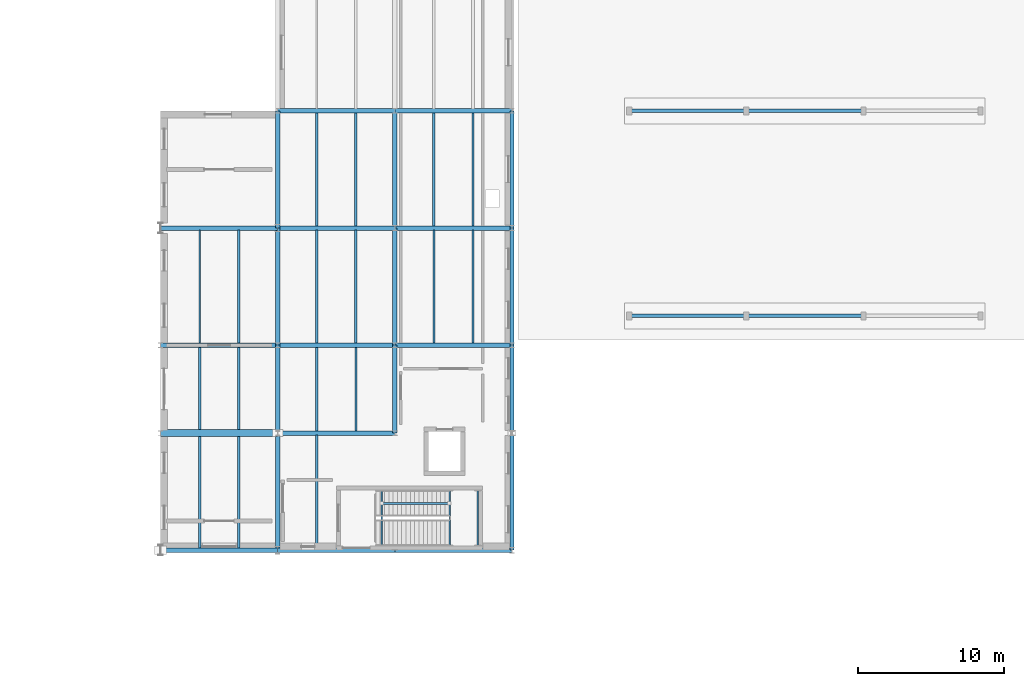
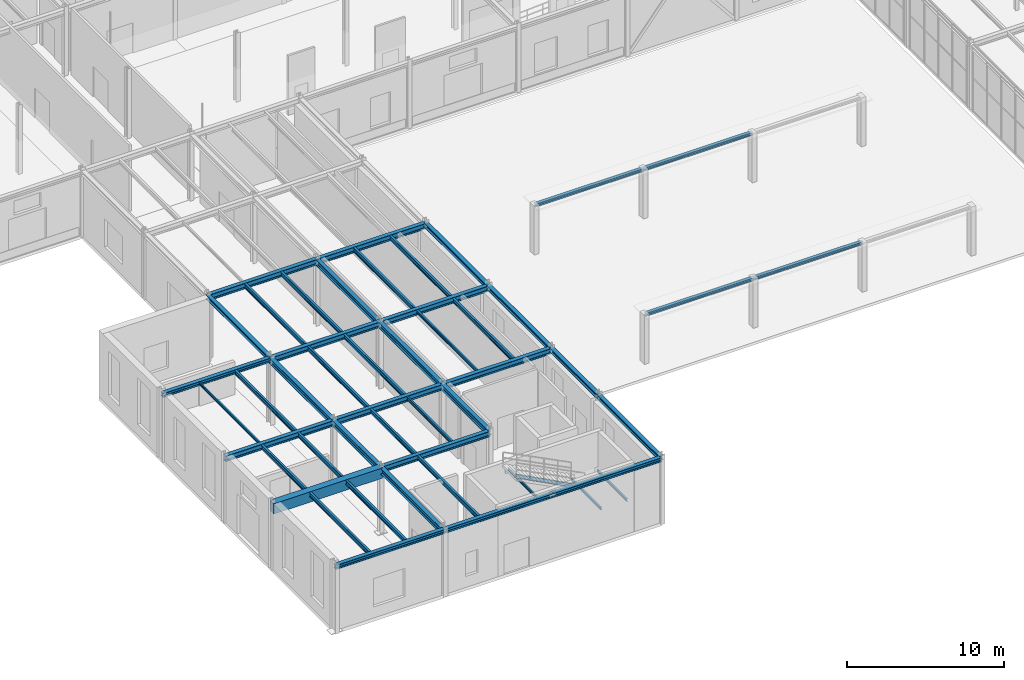
# One storey, part 24 of 129: 48 beams, 1 member.
"""IFC4 building model written with IfcOpenShell, lengths in metres."""

from ifc_helpers import new_model, si_unit, direction, frame, origin, origin_2d, place, context, subcontext, project, spatial, rectangle, i_section, extrude, material, material_profile, profile_set, type_object, element, save


model = new_model("IFC4")

# Units and contexts
model_context = context("Model", 3, precision=1e-05, world=origin(), true_north=direction((0.0, 1.0)))
body_context = subcontext(model_context, "Body", "Model", "MODEL_VIEW")
ifc_project = project(units=[si_unit("LENGTHUNIT", "METRE"), si_unit("AREAUNIT", "SQUARE_METRE"), si_unit("VOLUMEUNIT", "CUBIC_METRE"), si_unit("PLANEANGLEUNIT", "RADIAN"), si_unit("MASSUNIT", "GRAM", prefix="KILO")], contexts=[model_context])

# Site, building, storey
site_placement = place(None, origin())
site = spatial("IfcSite", under=ifc_project, at=site_placement, CompositionType="ELEMENT")
building_placement = place(site_placement, origin())
building = spatial("IfcBuilding", under=site, at=building_placement, Name="Sundkrona Museum", CompositionType="ELEMENT")
storey_placement = place(building_placement, origin())
storey = spatial("IfcBuildingStorey", under=building, at=storey_placement, Name="L00", CompositionType="ELEMENT", Elevation=0.0)

# Beams
ifc_material_1 = material(Name="Steel S355J2", Category="steel")
ifc_material_profile_1 = material_profile(ifc_material_1, i_section(OverallWidth=0.239990234375, OverallDepth=0.22998046875, WebThickness=0.007568359375, FlangeThickness=0.011962890625, FilletRadius=0.02099609375, at=origin_2d()), Name="HEA 240")
ifc_profile_set_1 = profile_set([ifc_material_profile_1], Name="Steel S355J2")
beam_type_1 = type_object("IfcBeamType", Name="B-HEA240", PredefinedType="BEAM", material=ifc_profile_set_1)
for number, where, z_axis, x_axis, name in (
    (1, (48.0, 48.0, 3.679931640625), (1.0, 0.0, 0.0), (0.0, 1.0, 0.0), "Courtyard Pergola Tie Beam CLN-1"),
    (2, (56.0, 48.0, 3.679931640625), (1.0, 0.0, 0.0), (0.0, 1.0, 0.0), "Courtyard Pergola Tie Beam CLN-2"),
    (3, (48.0, 62.0, 3.679931640625), (1.0, 0.0, 0.0), (0.0, 1.0, 0.0), "Courtyard Pergola Tie Beam CLS-1"),
    (4, (56.0, 62.0, 3.679931640625), (1.0, 0.0, 0.0), (0.0, 1.0, 0.0), "Courtyard Pergola Tie Beam CLS-2"),
):
    element("IfcBeam", number, at=place(storey_placement, frame(where, z_axis=z_axis, x_axis=x_axis)), inside=storey, type_object=beam_type_1, Name=name, PredefinedType="BEAM", context=body_context, shape_type="SweptSolid", body=[
        extrude(i_section(OverallWidth=0.239990234375, OverallDepth=0.22998046875, WebThickness=0.007568359375, FlangeThickness=0.011962890625, FilletRadius=0.02099609375, at=origin_2d()), origin(), (0.0, 0.0, 1.0), 8.0),
    ])
ifc_material_profile_2 = material_profile(ifc_material_1, i_section(OverallWidth=0.300048828125, OverallDepth=0.43994140625, WebThickness=0.011474609375, FlangeThickness=0.02099609375, FilletRadius=0.027099609375, at=origin_2d()), Name="HEA 450")
ifc_profile_set_2 = profile_set([ifc_material_profile_2], Name="Steel S355J2")
beam_type_2 = type_object("IfcBeamType", Name="B-HEA450", PredefinedType="BEAM", material=ifc_profile_set_2)
for number, where, z_axis, x_axis, name in (
    (5, (24.0, 40.0, 4.93994140625), (1.0, 0.0, 0.0), (0.0, 1.0, 0.0), "L00 Girder X-0469"),
    (6, (16.0, 46.0, 4.93994140625), (1.0, 0.0, 0.0), (0.0, 1.0, 0.0), "L00 Girder X-0479"),
    (7, (24.0, 46.0, 4.93994140625), (1.0, 0.0, 0.0), (0.0, 1.0, 0.0), "L00 Girder X-0480"),
    (8, (32.0, 46.0, 4.93994140625), (1.0, 0.0, 0.0), (0.0, 1.0, 0.0), "L00 Girder X-0481"),
    (9, (24.0, 54.0, 4.93994140625), (1.0, 0.0, 0.0), (0.0, 1.0, 0.0), "L00 Girder X-0491"),
    (10, (32.0, 54.0, 4.93994140625), (1.0, 0.0, 0.0), (0.0, 1.0, 0.0), "L00 Girder X-0492"),
    (11, (24.0, 62.0, 4.93994140625), (1.0, 0.0, 0.0), (0.0, 1.0, 0.0), "L00 Girder X-0499"),
    (12, (32.0, 62.0, 4.93994140625), (1.0, 0.0, 0.0), (0.0, 1.0, 0.0), "L00 Girder X-0500"),
    (13, (24.0, 32.0, 4.93994140625), (0.0, 1.0, 0.0), (-1.0, 0.0, 0.0), "L00 Girder Y-0630"),
):
    element("IfcBeam", number, at=place(storey_placement, frame(where, z_axis=z_axis, x_axis=x_axis)), inside=storey, type_object=beam_type_2, Name=name, PredefinedType="BEAM", context=body_context, shape_type="SweptSolid", body=[
        extrude(i_section(OverallWidth=0.300048828125, OverallDepth=0.43994140625, WebThickness=0.011474609375, FlangeThickness=0.02099609375, FilletRadius=0.027099609375, at=origin_2d()), origin(), (0.0, 0.0, 1.0), 8.0),
    ])
beam_1_placement = place(storey_placement, frame((24.0, 40.0, 4.93994140625), z_axis=(0.0, 1.0, 0.0), x_axis=(-1.0, 0.0, 0.0)))
element("IfcBeam", 14, at=beam_1_placement, inside=storey, type_object=beam_type_2, Name="L00 Girder Y-0631", PredefinedType="BEAM", context=body_context, shape_type="SweptSolid", body=[
    extrude(i_section(OverallWidth=0.300048828125, OverallDepth=0.43994140625, WebThickness=0.011474609375, FlangeThickness=0.02099609375, FilletRadius=0.027099609375, at=origin_2d()), origin(), (0.0, 0.0, 1.0), 6.0),
])
beam_2_placement = place(storey_placement, frame((24.0, 46.0, 4.93994140625), z_axis=(0.0, 1.0, 0.0), x_axis=(-1.0, 0.0, 0.0)))
element("IfcBeam", 15, at=beam_2_placement, inside=storey, type_object=beam_type_2, Name="L00 Girder Y-0632", PredefinedType="BEAM", context=body_context, shape_type="SweptSolid", body=[
    extrude(i_section(OverallWidth=0.300048828125, OverallDepth=0.43994140625, WebThickness=0.011474609375, FlangeThickness=0.02099609375, FilletRadius=0.027099609375, at=origin_2d()), origin(), (0.0, 0.0, 1.0), 8.0),
])
beam_3_placement = place(storey_placement, frame((32.0, 40.0, 4.93994140625), z_axis=(0.0, 1.0, 0.0), x_axis=(-1.0, 0.0, 0.0)))
element("IfcBeam", 16, at=beam_3_placement, inside=storey, type_object=beam_type_2, Name="L00 Girder Y-0639", PredefinedType="BEAM", context=body_context, shape_type="SweptSolid", body=[
    extrude(i_section(OverallWidth=0.300048828125, OverallDepth=0.43994140625, WebThickness=0.011474609375, FlangeThickness=0.02099609375, FilletRadius=0.027099609375, at=origin_2d()), origin(), (0.0, 0.0, 1.0), 6.0),
])
for number, where, z_axis, x_axis, name in (
    (17, (32.0, 46.0, 4.93994140625), (0.0, 1.0, 0.0), (-1.0, 0.0, 0.0), "L00 Girder Y-0640"),
    (18, (32.0, 54.0, 4.93994140625), (0.0, 1.0, 0.0), (-1.0, 0.0, 0.0), "L00 Girder Y-0641"),
):
    element("IfcBeam", number, at=place(storey_placement, frame(where, z_axis=z_axis, x_axis=x_axis)), inside=storey, type_object=beam_type_2, Name=name, PredefinedType="BEAM", context=body_context, shape_type="SweptSolid", body=[
        extrude(i_section(OverallWidth=0.300048828125, OverallDepth=0.43994140625, WebThickness=0.011474609375, FlangeThickness=0.02099609375, FilletRadius=0.027099609375, at=origin_2d()), origin(), (0.0, 0.0, 1.0), 8.0),
    ])
ifc_material_2 = material(Name="Concrete C40/50", Category="concrete")
ifc_material_profile_3 = material_profile(ifc_material_2, rectangle(XDim=0.5, YDim=0.800048828125, at=origin_2d()), Name="RCB 500x800")
ifc_profile_set_3 = profile_set([ifc_material_profile_3], Name="Concrete C40/50")
beam_type_3 = type_object("IfcBeamType", Name="B-RC500", PredefinedType="BEAM", material=ifc_profile_set_3)
beam_4_placement = place(storey_placement, frame((16.0, 40.0, 4.760009765625), z_axis=(1.0, 0.0, 0.0), x_axis=(0.0, 1.0, 0.0)))
element("IfcBeam", 19, at=beam_4_placement, inside=storey, type_object=beam_type_3, Name="L00 Girder X-0468", PredefinedType="BEAM", context=body_context, shape_type="SweptSolid", body=[
    extrude(rectangle(XDim=0.5, YDim=0.800048828125, at=origin_2d()), origin(), (0.0, 0.0, 1.0), 8.0),
])

# Member
ifc_material_profile_4 = material_profile(ifc_material_1, i_section(OverallWidth=0.135009765625, OverallDepth=0.27001953125, WebThickness=0.006591796875, FlangeThickness=0.01025390625, FilletRadius=0.014892578125, at=origin_2d()), Name="IPE 270")
ifc_profile_set_4 = profile_set([ifc_material_profile_4], Name="Steel S355J2")
member_type = type_object("IfcMemberType", Name="BR-IPE270", PredefinedType="BRACE", material=ifc_profile_set_4)
member_placement = place(storey_placement, frame((35.715087890625, 35.199951171875, 2.3798828125), z_axis=(-0.884492571905, 0.0, 0.466554273632), x_axis=(0.0, -1.0, 0.0)))
element("IfcMember", 20, at=member_placement, inside=storey, type_object=member_type, Name="SRK-1 L00 ST-4 Flight 2 Inclined Carriage Raker", PredefinedType="BRACE", context=body_context, shape_type="SweptSolid", body=[
    extrude(i_section(OverallWidth=0.135009765625, OverallDepth=0.27001953125, WebThickness=0.006591796875, FlangeThickness=0.01025390625, FilletRadius=0.014892578125, at=origin_2d()), origin(), (0.0, 0.0, 1.0), 5.2177734375),
])

# Beams
ifc_material_profile_5 = material_profile(ifc_material_1, i_section(OverallWidth=0.10009765625, OverallDepth=0.199951171875, WebThickness=0.005615234375, FlangeThickness=0.008544921875, FilletRadius=0.011962890625, at=origin_2d()), Name="IPE 200")
ifc_profile_set_5 = profile_set([ifc_material_profile_5], Name="Steel S355J2")
beam_type_4 = type_object("IfcBeamType", Name="J-IPE200", PredefinedType="JOIST", material=ifc_profile_set_5)
beam_5_placement = place(storey_placement, frame((18.666748046875, 46.14404296875, 5.06005859375), z_axis=(0.0, 1.0, 0.0), x_axis=(-1.0, 0.0, 0.0)))
element("IfcBeam", 21, at=beam_5_placement, inside=storey, type_object=beam_type_4, Name="L00 Composite Joist 0320", PredefinedType="JOIST", context=body_context, shape_type="SweptSolid", body=[
    extrude(i_section(OverallWidth=0.10009765625, OverallDepth=0.199951171875, WebThickness=0.005615234375, FlangeThickness=0.008544921875, FilletRadius=0.011962890625, at=origin_2d()), origin(), (0.0, 0.0, 1.0), 7.7119140625),
])
for number, where, z_axis, x_axis, name in (
    (22, (35.754638671875, 32.31005859375, 2.3798828125), (0.0, 1.0, 0.0), (-1.0, 0.0, 0.0), "L00 ST-4 Mid-Landing Trimmer Beam 1A"),
    (23, (37.660400390625, 32.31005859375, 2.3798828125), (0.0, 1.0, 0.0), (-1.0, 0.0, 0.0), "L00 ST-4 Mid-Landing Trimmer Beam 1B"),
    (24, (31.10009765625, 32.31005859375, 4.814208984375), (0.0, 1.0, 0.0), (-1.0, 0.0, 0.0), "L00 ST-4 Flight 2 Arrival Header Beam"),
):
    element("IfcBeam", number, at=place(storey_placement, frame(where, z_axis=z_axis, x_axis=x_axis)), inside=storey, type_object=beam_type_4, Name=name, PredefinedType="JOIST", context=body_context, shape_type="SweptSolid", body=[
        extrude(i_section(OverallWidth=0.10009765625, OverallDepth=0.199951171875, WebThickness=0.005615234375, FlangeThickness=0.008544921875, FilletRadius=0.011962890625, at=origin_2d()), origin(), (0.0, 0.0, 1.0), 3.780029296875),
    ])
ifc_material_profile_6 = material_profile(ifc_material_1, i_section(OverallWidth=0.1201171875, OverallDepth=0.239990234375, WebThickness=0.006103515625, FlangeThickness=0.009765625, FilletRadius=0.014892578125, at=origin_2d()), Name="IPE 240")
ifc_profile_set_6 = profile_set([ifc_material_profile_6], Name="Steel S355J2")
beam_type_5 = type_object("IfcBeamType", Name="J-IPE240", PredefinedType="JOIST", material=ifc_profile_set_6)
beam_6_placement = place(storey_placement, frame((34.666748046875, 46.14404296875, 5.0400390625), z_axis=(0.0, 1.0, 0.0), x_axis=(-1.0, 0.0, 0.0)))
element("IfcBeam", 25, at=beam_6_placement, inside=storey, type_object=beam_type_5, Name="L00 Composite Joist 0345", PredefinedType="JOIST", context=body_context, shape_type="SweptSolid", body=[
    extrude(i_section(OverallWidth=0.1201171875, OverallDepth=0.239990234375, WebThickness=0.006103515625, FlangeThickness=0.009765625, FilletRadius=0.014892578125, at=origin_2d()), origin(), (0.0, 0.0, 1.0), 7.7119140625),
])
ifc_material_profile_7 = material_profile(ifc_material_1, i_section(OverallWidth=0.135009765625, OverallDepth=0.27001953125, WebThickness=0.006591796875, FlangeThickness=0.01025390625, FilletRadius=0.014892578125, at=origin_2d()), Name="IPE 270")
ifc_profile_set_7 = profile_set([ifc_material_profile_7], Name="Steel S355J2")
beam_type_6 = type_object("IfcBeamType", Name="J-IPE270", PredefinedType="JOIST", material=ifc_profile_set_7)
beam_7_placement = place(storey_placement, frame((29.333251953125, 40.14404296875, 5.02490234375), z_axis=(0.0, 1.0, 0.0), x_axis=(-1.0, 0.0, 0.0)))
element("IfcBeam", 26, at=beam_7_placement, inside=storey, type_object=beam_type_6, Name="L00 Composite Joist 0330", PredefinedType="JOIST", context=body_context, shape_type="SweptSolid", body=[
    extrude(i_section(OverallWidth=0.135009765625, OverallDepth=0.27001953125, WebThickness=0.006591796875, FlangeThickness=0.01025390625, FilletRadius=0.014892578125, at=origin_2d()), origin(), (0.0, 0.0, 1.0), 5.7119140625),
])
ifc_material_profile_8 = material_profile(ifc_material_1, i_section(OverallWidth=0.159912109375, OverallDepth=0.330078125, WebThickness=0.007568359375, FlangeThickness=0.011474609375, FilletRadius=0.01806640625, at=origin_2d()), Name="IPE 330")
ifc_profile_set_8 = profile_set([ifc_material_profile_8], Name="Steel S355J2")
beam_type_7 = type_object("IfcBeamType", Name="J-IPE330", PredefinedType="JOIST", material=ifc_profile_set_8)
for number, where, z_axis, x_axis, name in (
    (27, (18.666748046875, 32.14404296875, 4.9951171875), (0.0, 1.0, 0.0), (-1.0, 0.0, 0.0), "L00 Composite Joist 0316"),
    (28, (21.333251953125, 32.14404296875, 4.9951171875), (0.0, 1.0, 0.0), (-1.0, 0.0, 0.0), "L00 Composite Joist 0317"),
):
    element("IfcBeam", number, at=place(storey_placement, frame(where, z_axis=z_axis, x_axis=x_axis)), inside=storey, type_object=beam_type_7, Name=name, PredefinedType="JOIST", context=body_context, shape_type="SweptSolid", body=[
        extrude(i_section(OverallWidth=0.159912109375, OverallDepth=0.330078125, WebThickness=0.007568359375, FlangeThickness=0.011474609375, FilletRadius=0.01806640625, at=origin_2d()), origin(), (0.0, 0.0, 1.0), 7.612060546875),
    ])
for number, where, z_axis, x_axis, name in (
    (29, (18.666748046875, 40.243896484375, 4.9951171875), (0.0, 1.0, 0.0), (-1.0, 0.0, 0.0), "L00 Composite Joist 0318"),
    (30, (21.333251953125, 40.243896484375, 4.9951171875), (0.0, 1.0, 0.0), (-1.0, 0.0, 0.0), "L00 Composite Joist 0319"),
):
    element("IfcBeam", number, at=place(storey_placement, frame(where, z_axis=z_axis, x_axis=x_axis)), inside=storey, type_object=beam_type_7, Name=name, PredefinedType="JOIST", context=body_context, shape_type="SweptSolid", body=[
        extrude(i_section(OverallWidth=0.159912109375, OverallDepth=0.330078125, WebThickness=0.007568359375, FlangeThickness=0.011474609375, FilletRadius=0.01806640625, at=origin_2d()), origin(), (0.0, 0.0, 1.0), 5.612060546875),
    ])
for number, where, z_axis, x_axis, name in (
    (31, (21.333251953125, 46.14404296875, 4.9951171875), (0.0, 1.0, 0.0), (-1.0, 0.0, 0.0), "L00 Composite Joist 0321"),
    (32, (26.666748046875, 32.14404296875, 4.9951171875), (0.0, 1.0, 0.0), (-1.0, 0.0, 0.0), "L00 Composite Joist 0328"),
):
    element("IfcBeam", number, at=place(storey_placement, frame(where, z_axis=z_axis, x_axis=x_axis)), inside=storey, type_object=beam_type_7, Name=name, PredefinedType="JOIST", context=body_context, shape_type="SweptSolid", body=[
        extrude(i_section(OverallWidth=0.159912109375, OverallDepth=0.330078125, WebThickness=0.007568359375, FlangeThickness=0.011474609375, FilletRadius=0.01806640625, at=origin_2d()), origin(), (0.0, 0.0, 1.0), 7.7119140625),
    ])
beam_8_placement = place(storey_placement, frame((26.666748046875, 40.14404296875, 4.9951171875), z_axis=(0.0, 1.0, 0.0), x_axis=(-1.0, 0.0, 0.0)))
element("IfcBeam", 33, at=beam_8_placement, inside=storey, type_object=beam_type_7, Name="L00 Composite Joist 0329", PredefinedType="JOIST", context=body_context, shape_type="SweptSolid", body=[
    extrude(i_section(OverallWidth=0.159912109375, OverallDepth=0.330078125, WebThickness=0.007568359375, FlangeThickness=0.011474609375, FilletRadius=0.01806640625, at=origin_2d()), origin(), (0.0, 0.0, 1.0), 5.7119140625),
])
for number, where, z_axis, x_axis, name in (
    (34, (26.666748046875, 46.14404296875, 4.9951171875), (0.0, 1.0, 0.0), (-1.0, 0.0, 0.0), "L00 Composite Joist 0331"),
    (35, (29.333251953125, 46.14404296875, 4.9951171875), (0.0, 1.0, 0.0), (-1.0, 0.0, 0.0), "L00 Composite Joist 0332"),
    (36, (26.666748046875, 54.14404296875, 4.9951171875), (0.0, 1.0, 0.0), (-1.0, 0.0, 0.0), "L00 Composite Joist 0333"),
    (37, (29.333251953125, 54.14404296875, 4.9951171875), (0.0, 1.0, 0.0), (-1.0, 0.0, 0.0), "L00 Composite Joist 0334"),
    (38, (37.333251953125, 46.14404296875, 4.9951171875), (0.0, 1.0, 0.0), (-1.0, 0.0, 0.0), "L00 Composite Joist 0346"),
    (39, (34.666748046875, 54.14404296875, 4.9951171875), (0.0, 1.0, 0.0), (-1.0, 0.0, 0.0), "L00 Composite Joist 0347"),
    (40, (37.333251953125, 54.14404296875, 4.9951171875), (0.0, 1.0, 0.0), (-1.0, 0.0, 0.0), "L00 Composite Joist 0348"),
):
    element("IfcBeam", number, at=place(storey_placement, frame(where, z_axis=z_axis, x_axis=x_axis)), inside=storey, type_object=beam_type_7, Name=name, PredefinedType="JOIST", context=body_context, shape_type="SweptSolid", body=[
        extrude(i_section(OverallWidth=0.159912109375, OverallDepth=0.330078125, WebThickness=0.007568359375, FlangeThickness=0.011474609375, FilletRadius=0.01806640625, at=origin_2d()), origin(), (0.0, 0.0, 1.0), 7.7119140625),
    ])
ifc_material_profile_9 = material_profile(ifc_material_1, i_section(OverallWidth=0.300048828125, OverallDepth=0.320068359375, WebThickness=0.011474609375, FlangeThickness=0.0205078125, FilletRadius=0.027099609375, at=origin_2d()), Name="HEB 320")
ifc_profile_set_9 = profile_set([ifc_material_profile_9], Name="Steel S355J2")
beam_type_8 = type_object("IfcBeamType", Name="SP-HEB320", PredefinedType="SPANDREL", material=ifc_profile_set_9)
for number, where, z_axis, x_axis, name in (
    (41, (16.0, 32.0, 5.0), (1.0, 0.0, 0.0), (0.0, 1.0, 0.0), "L00 Girder X-0454"),
    (42, (24.0, 32.0, 5.0), (1.0, 0.0, 0.0), (0.0, 1.0, 0.0), "L00 Girder X-0455"),
    (43, (32.0, 32.0, 5.0), (1.0, 0.0, 0.0), (0.0, 1.0, 0.0), "L00 Girder X-0456"),
    (44, (16.0, 54.0, 5.0), (1.0, 0.0, 0.0), (0.0, 1.0, 0.0), "L00 Girder X-0490"),
    (45, (24.0, 54.0, 5.0), (0.0, 1.0, 0.0), (-1.0, 0.0, 0.0), "L00 Girder Y-0633"),
    (46, (40.0, 32.0, 5.0), (0.0, 1.0, 0.0), (-1.0, 0.0, 0.0), "L00 Girder Y-0647"),
):
    element("IfcBeam", number, at=place(storey_placement, frame(where, z_axis=z_axis, x_axis=x_axis)), inside=storey, type_object=beam_type_8, Name=name, PredefinedType="SPANDREL", context=body_context, shape_type="SweptSolid", body=[
        extrude(i_section(OverallWidth=0.300048828125, OverallDepth=0.320068359375, WebThickness=0.011474609375, FlangeThickness=0.0205078125, FilletRadius=0.027099609375, at=origin_2d()), origin(), (0.0, 0.0, 1.0), 8.0),
    ])
beam_9_placement = place(storey_placement, frame((40.0, 40.0, 5.0), z_axis=(0.0, 1.0, 0.0), x_axis=(-1.0, 0.0, 0.0)))
element("IfcBeam", 47, at=beam_9_placement, inside=storey, type_object=beam_type_8, Name="L00 Girder Y-0648", PredefinedType="SPANDREL", context=body_context, shape_type="SweptSolid", body=[
    extrude(i_section(OverallWidth=0.300048828125, OverallDepth=0.320068359375, WebThickness=0.011474609375, FlangeThickness=0.0205078125, FilletRadius=0.027099609375, at=origin_2d()), origin(), (0.0, 0.0, 1.0), 6.0),
])
for number, where, z_axis, x_axis, name in (
    (48, (40.0, 46.0, 5.0), (0.0, 1.0, 0.0), (-1.0, 0.0, 0.0), "L00 Girder Y-0649"),
    (49, (40.0, 54.0, 5.0), (0.0, 1.0, 0.0), (-1.0, 0.0, 0.0), "L00 Girder Y-0650"),
):
    element("IfcBeam", number, at=place(storey_placement, frame(where, z_axis=z_axis, x_axis=x_axis)), inside=storey, type_object=beam_type_8, Name=name, PredefinedType="SPANDREL", context=body_context, shape_type="SweptSolid", body=[
        extrude(i_section(OverallWidth=0.300048828125, OverallDepth=0.320068359375, WebThickness=0.011474609375, FlangeThickness=0.0205078125, FilletRadius=0.027099609375, at=origin_2d()), origin(), (0.0, 0.0, 1.0), 8.0),
    ])

save(model, "model.ifc")
